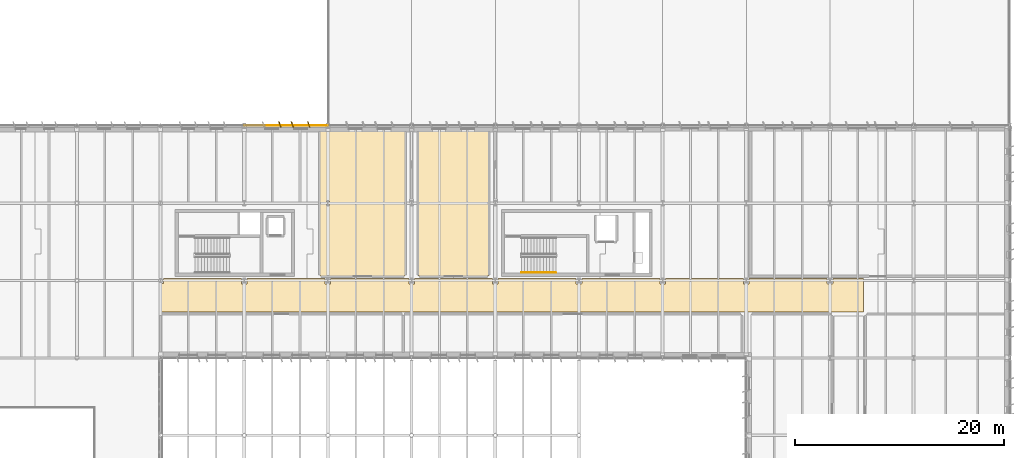
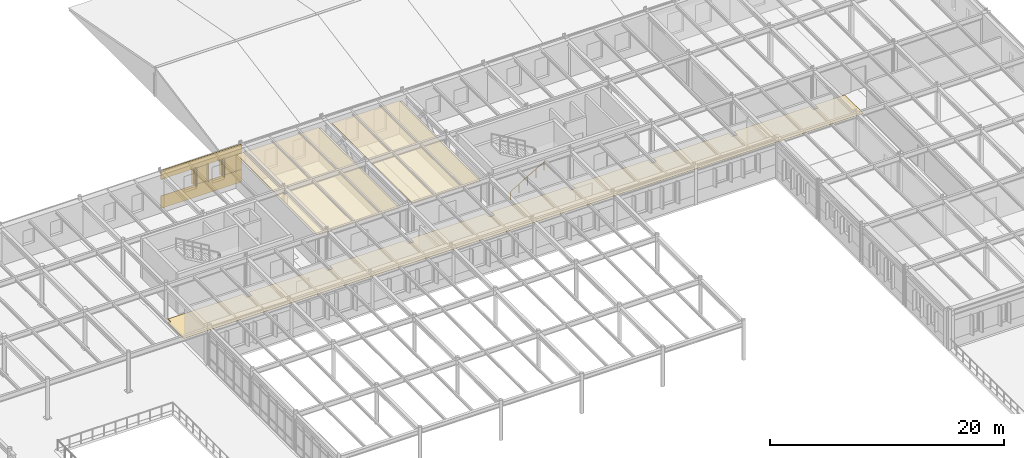
# One storey, part 58 of 63: 10 coverings, 1 railing.
"""IFC4 building model written with IfcOpenShell, lengths in metres."""

from ifc_helpers import new_model, si_unit, direction, frame, frame_2d, origin, origin_2d, place, context, subcontext, project, spatial, polyline, rectangle, circle, outline, extrude, material, layer, layer_set, type_object, element, save


model = new_model("IFC4")

# Units and contexts
model_context = context("Model", 3, precision=1e-05, world=origin(), true_north=direction((0.0, 1.0)))
body_context = subcontext(model_context, "Body", "Model", "MODEL_VIEW")
ifc_project = project(units=[si_unit("LENGTHUNIT", "METRE"), si_unit("AREAUNIT", "SQUARE_METRE"), si_unit("VOLUMEUNIT", "CUBIC_METRE"), si_unit("PLANEANGLEUNIT", "RADIAN"), si_unit("MASSUNIT", "GRAM", prefix="KILO")], contexts=[model_context])

# Site, building, storey
site_placement = place(None, origin())
site = spatial("IfcSite", under=ifc_project, at=site_placement, CompositionType="ELEMENT")
building_placement = place(site_placement, origin())
building = spatial("IfcBuilding", under=site, at=building_placement, Name="Valkorina Park Police Headquarters", CompositionType="ELEMENT")
storey_placement = place(building_placement, frame((0.0, 0.0, 9.89990234375)))
storey = spatial("IfcBuildingStorey", under=building, at=storey_placement, Name="L03", CompositionType="ELEMENT", Elevation=9.89990234375)

# Coverings
ifc_material_1 = material(Name="Acoustic mineral board")
ifc_layer_1 = layer(ifc_material_1, 0.02490234375)
ifc_layer_set_1 = layer_set([ifc_layer_1], Name="Acoustic mineral board")
covering_type_1 = type_object("IfcCoveringType", Name="COV-CEILING-ACOUST", PredefinedType="CEILING", material=ifc_layer_set_1)
covering_1_placement = place(storey_placement, frame((0.0, 0.0, 3.380126953125)))
element("IfcCovering", 1, at=covering_1_placement, inside=storey, type_object=covering_type_1, Name="Redundant 112 Server Hall B Acoustic Suspended Ceiling", PredefinedType="CEILING", context=body_context, shape_type="SweptSolid", body=[
    extrude(outline(polyline([(104.158447265625, 67.1044921875), (104.15966796875, 67.1123046875), (104.159912109375, 67.1201171875), (104.159912109375, 80.8798828125), (104.15966796875, 80.8876953125), (104.158447265625, 80.8955078125), (104.156494140625, 80.9033203125), (104.15380859375, 80.91064453125), (104.150634765625, 80.917724609375), (104.146484375, 80.92431640625), (104.141845703125, 80.930908203125), (104.13671875, 80.9365234375), (104.130859375, 80.94189453125), (104.12451171875, 80.946533203125), (104.11767578125, 80.95068359375), (104.110595703125, 80.953857421875), (104.103271484375, 80.95654296875), (104.095703125, 80.95849609375), (104.087890625, 80.959716796875), (104.080078125, 80.9599609375), (96.1201171875, 80.9599609375), (96.1123046875, 80.959716796875), (96.1044921875, 80.95849609375), (96.0966796875, 80.95654296875), (96.08935546875, 80.953857421875), (96.082275390625, 80.95068359375), (96.07568359375, 80.946533203125), (96.069091796875, 80.94189453125), (96.0634765625, 80.9365234375), (96.05810546875, 80.930908203125), (96.053466796875, 80.92431640625), (96.04931640625, 80.917724609375), (96.046142578125, 80.91064453125), (96.04345703125, 80.9033203125), (96.04150390625, 80.8955078125), (96.040283203125, 80.8876953125), (96.0400390625, 80.8798828125), (96.0400390625, 67.1201171875), (96.040283203125, 67.1123046875), (96.04150390625, 67.1044921875), (96.04345703125, 67.0966796875), (96.046142578125, 67.08935546875), (96.04931640625, 67.082275390625), (96.053466796875, 67.07568359375), (96.05810546875, 67.069091796875), (96.0634765625, 67.0634765625), (96.069091796875, 67.05810546875), (96.07568359375, 67.053466796875), (96.082275390625, 67.04931640625), (96.08935546875, 67.046142578125), (96.0966796875, 67.04345703125), (96.1044921875, 67.04150390625), (96.1123046875, 67.040283203125), (96.1201171875, 67.0400390625), (104.080078125, 67.0400390625), (104.087890625, 67.040283203125), (104.095703125, 67.04150390625), (104.103271484375, 67.04345703125), (104.110595703125, 67.046142578125), (104.11767578125, 67.04931640625), (104.12451171875, 67.053466796875), (104.130859375, 67.05810546875), (104.13671875, 67.0634765625), (104.141845703125, 67.069091796875), (104.146484375, 67.07568359375), (104.150634765625, 67.082275390625), (104.15380859375, 67.08935546875), (104.156494140625, 67.0966796875), (104.158447265625, 67.1044921875)]), holes=[polyline([(96.949951171875, 74.22509765625), (96.949951171875, 73.77490234375), (96.64990234375, 73.77490234375), (96.64990234375, 74.22509765625), (96.949951171875, 74.22509765625)])]), origin(), (0.0, 0.0, 1.0), 0.02490234375),
])
covering_2_placement = place(storey_placement, frame((0.0, 0.0, 3.380126953125)))
element("IfcCovering", 2, at=covering_2_placement, inside=storey, type_object=covering_type_1, Name="Optical Core Patching and UPS Suite Acoustic Suspended Ceiling", PredefinedType="CEILING", context=body_context, shape_type="SweptSolid", body=[
    extrude(outline(polyline([(112.158447265625, 67.1044921875), (112.15966796875, 67.1123046875), (112.159912109375, 67.1201171875), (112.159912109375, 80.8798828125), (112.15966796875, 80.8876953125), (112.158447265625, 80.8955078125), (112.156494140625, 80.9033203125), (112.15380859375, 80.91064453125), (112.150634765625, 80.917724609375), (112.146484375, 80.92431640625), (112.141845703125, 80.930908203125), (112.13671875, 80.9365234375), (112.130859375, 80.94189453125), (112.12451171875, 80.946533203125), (112.11767578125, 80.95068359375), (112.110595703125, 80.953857421875), (112.103271484375, 80.95654296875), (112.095703125, 80.95849609375), (112.087890625, 80.959716796875), (112.080078125, 80.9599609375), (105.52001953125, 80.9599609375), (105.51220703125, 80.959716796875), (105.50439453125, 80.95849609375), (105.496826171875, 80.95654296875), (105.489501953125, 80.953857421875), (105.482421875, 80.95068359375), (105.4755859375, 80.946533203125), (105.46923828125, 80.94189453125), (105.46337890625, 80.9365234375), (105.458251953125, 80.930908203125), (105.45361328125, 80.92431640625), (105.449462890625, 80.917724609375), (105.446044921875, 80.91064453125), (105.443359375, 80.9033203125), (105.44140625, 80.8955078125), (105.4404296875, 80.8876953125), (105.43994140625, 80.8798828125), (105.43994140625, 67.1201171875), (105.4404296875, 67.1123046875), (105.44140625, 67.1044921875), (105.443359375, 67.0966796875), (105.446044921875, 67.08935546875), (105.449462890625, 67.082275390625), (105.45361328125, 67.07568359375), (105.458251953125, 67.069091796875), (105.46337890625, 67.0634765625), (105.46923828125, 67.05810546875), (105.4755859375, 67.053466796875), (105.482421875, 67.04931640625), (105.489501953125, 67.046142578125), (105.496826171875, 67.04345703125), (105.50439453125, 67.04150390625), (105.51220703125, 67.040283203125), (105.52001953125, 67.0400390625), (112.080078125, 67.0400390625), (112.087890625, 67.040283203125), (112.095703125, 67.04150390625), (112.103271484375, 67.04345703125), (112.110595703125, 67.046142578125), (112.11767578125, 67.04931640625), (112.12451171875, 67.053466796875), (112.130859375, 67.05810546875), (112.13671875, 67.0634765625), (112.141845703125, 67.069091796875), (112.146484375, 67.07568359375), (112.150634765625, 67.082275390625), (112.15380859375, 67.08935546875), (112.156494140625, 67.0966796875), (112.158447265625, 67.1044921875)])), origin(), (0.0, 0.0, 1.0), 0.02490234375),
])
ifc_material_2 = material(Name="Precast concrete C40/50", Category="concrete")
ifc_layer_2 = layer(ifc_material_2, 0.044921875)
ifc_layer_set_2 = layer_set([ifc_layer_2], Name="Precast concrete C40/50")
covering_type_2 = type_object("IfcCoveringType", Name="COV-CLAD-DOLOMITE", PredefinedType="CLADDING", material=ifc_layer_set_2)
for number, where, z_axis, x_axis, name in (
    (3, (92.20263671875, 81.52001953125, 1.22998046875), (0.0, 0.0, 1.0), (-0.317304656405, 0.948323655206, 0.0), "Slanted 18.5-deg Precast Window Slot Fin 1821"),
    (4, (93.3974609375, 81.52001953125, 1.22998046875), (0.0, 0.0, 1.0), (-0.317304656405, 0.948323655206, 0.0), "Slanted 18.5-deg Precast Window Slot Fin 1822"),
    (5, (94.96728515625, 81.52001953125, 1.22998046875), (0.0, 0.0, 1.0), (-0.317304656405, 0.948323655206, 0.0), "Slanted 18.5-deg Precast Window Slot Fin 1823"),
):
    element("IfcCovering", number, at=place(storey_placement, frame(where, z_axis=z_axis, x_axis=x_axis)), inside=storey, type_object=covering_type_2, Name=name, PredefinedType="CLADDING", context=body_context, shape_type="SweptSolid", body=[
        extrude(rectangle(XDim=0.5400390625, YDim=0.090087890625, at=origin_2d()), origin(), (0.0, 0.0, 1.0), 1.889892578125),
    ])
covering_3_placement = place(storey_placement, frame((88.820068359375, 81.4150390625, 0.0), z_axis=(0.0, 0.0, 1.0), x_axis=(1.0, 0.0, 0.0)))
element("IfcCovering", 6, at=covering_3_placement, inside=storey, type_object=covering_type_2, Name="L03 Calm Concrete Base Sill Spandrel 1824", PredefinedType="CLADDING", context=body_context, shape_type="SweptSolid", body=[
    extrude(rectangle(XDim=7.9599609375, YDim=0.044921875, at=frame_2d((3.97998046875, 0.0))), origin(), (0.0, 0.0, 1.0), 1.320068359375),
])
covering_4_placement = place(storey_placement, frame((88.820068359375, 81.4150390625, 3.030029296875), z_axis=(0.0, 0.0, 1.0), x_axis=(1.0, 0.0, 0.0)))
element("IfcCovering", 7, at=covering_4_placement, inside=storey, type_object=covering_type_2, Name="L03 Calm Concrete Base Lintel Spandrel 1825", PredefinedType="CLADDING", context=body_context, shape_type="SweptSolid", body=[
    extrude(rectangle(XDim=7.9599609375, YDim=0.044921875, at=frame_2d((3.97998046875, 0.0))), origin(), (0.0, 0.0, 1.0), 0.925048828125),
])
covering_5_placement = place(storey_placement, frame((92.092529296875, 81.4150390625, 1.320068359375), z_axis=(0.0, 0.0, 1.0), x_axis=(1.0, 0.0, 0.0)))
element("IfcCovering", 8, at=covering_5_placement, inside=storey, type_object=covering_type_2, Name="L03 Calm Concrete Base Slot Pier 1827", PredefinedType="CLADDING", context=body_context, shape_type="SweptSolid", body=[
    extrude(rectangle(XDim=1.414794921875, YDim=0.044921875, at=frame_2d((0.70751953125, 0.0))), origin(), (0.0, 0.0, 1.0), 1.7099609375),
])
covering_6_placement = place(storey_placement, frame((94.857421875, 81.4150390625, 1.320068359375), z_axis=(0.0, 0.0, 1.0), x_axis=(1.0, 0.0, 0.0)))
element("IfcCovering", 9, at=covering_6_placement, inside=storey, type_object=covering_type_2, Name="L03 Calm Concrete Base Slot Pier 1828", PredefinedType="CLADDING", context=body_context, shape_type="SweptSolid", body=[
    extrude(rectangle(XDim=1.922607421875, YDim=0.044921875, at=frame_2d((0.96142578125, 0.0))), origin(), (0.0, 0.0, 1.0), 1.7099609375),
])
ifc_material_3 = material(Name="Resin terrazzo flooring")
ifc_layer_3 = layer(ifc_material_3, 0.030029296875)
ifc_layer_set_3 = layer_set([ifc_layer_3], Name="Resin terrazzo flooring")
covering_type_3 = type_object("IfcCoveringType", Name="COV-FLOOR-TERRAZZO", PredefinedType="FLOORING", material=ifc_layer_set_3)
covering_7_placement = place(storey_placement, origin())
element("IfcCovering", 10, at=covering_7_placement, inside=storey, type_object=covering_type_3, Name="L03 Telecom and DNA Clean-Chain Corridor Terrazzo Flooring", PredefinedType="FLOORING", context=body_context, shape_type="SweptSolid", body=[
    extrude(outline(polyline([(81.097900390625, 66.382080078125), (81.097412109375, 66.37451171875), (81.09619140625, 66.36669921875), (81.094482421875, 66.35888671875), (81.091796875, 66.3515625), (81.08837890625, 66.344482421875), (81.084228515625, 66.337890625), (81.07958984375, 66.331298828125), (81.074462890625, 66.32568359375), (81.068603515625, 66.3203125), (81.062255859375, 66.315673828125), (81.055419921875, 66.3115234375), (81.04833984375, 66.308349609375), (81.041015625, 66.3056640625), (81.033447265625, 66.3037109375), (81.025634765625, 66.302490234375), (81.017822265625, 66.30224609375), (80.800048828125, 66.30224609375), (80.800048828125, 63.60009765625), (148.0, 63.60009765625), (148.0, 66.800048828125), (145.070068359375, 66.800048828125), (145.070068359375, 66.3349609375), (145.069580078125, 66.3271484375), (145.068603515625, 66.3193359375), (145.066650390625, 66.311767578125), (145.06396484375, 66.304443359375), (145.060546875, 66.29736328125), (145.056396484375, 66.29052734375), (145.0517578125, 66.2841796875), (145.046630859375, 66.2783203125), (145.040771484375, 66.273193359375), (145.034423828125, 66.2685546875), (145.027587890625, 66.264404296875), (145.0205078125, 66.260986328125), (145.01318359375, 66.25830078125), (145.005615234375, 66.256591796875), (144.997802734375, 66.25537109375), (144.989990234375, 66.2548828125), (144.610107421875, 66.2548828125), (144.602294921875, 66.25537109375), (144.594482421875, 66.256591796875), (144.5869140625, 66.25830078125), (144.579345703125, 66.260986328125), (144.572265625, 66.264404296875), (144.565673828125, 66.2685546875), (144.55908203125, 66.273193359375), (144.553466796875, 66.2783203125), (144.548095703125, 66.2841796875), (144.54345703125, 66.29052734375), (144.539306640625, 66.29736328125), (144.5361328125, 66.304443359375), (144.533447265625, 66.311767578125), (144.531494140625, 66.3193359375), (144.530517578125, 66.3271484375), (144.530029296875, 66.3349609375), (144.530029296875, 66.800048828125), (137.070068359375, 66.800048828125), (137.070068359375, 66.3349609375), (137.069580078125, 66.3271484375), (137.068603515625, 66.3193359375), (137.066650390625, 66.311767578125), (137.06396484375, 66.304443359375), (137.060546875, 66.29736328125), (137.056396484375, 66.29052734375), (137.0517578125, 66.2841796875), (137.046630859375, 66.2783203125), (137.040771484375, 66.273193359375), (137.034423828125, 66.2685546875), (137.027587890625, 66.264404296875), (137.0205078125, 66.260986328125), (137.01318359375, 66.25830078125), (137.005615234375, 66.256591796875), (136.997802734375, 66.25537109375), (136.989990234375, 66.2548828125), (136.610107421875, 66.2548828125), (136.602294921875, 66.25537109375), (136.594482421875, 66.256591796875), (136.5869140625, 66.25830078125), (136.579345703125, 66.260986328125), (136.572265625, 66.264404296875), (136.565673828125, 66.2685546875), (136.55908203125, 66.273193359375), (136.553466796875, 66.2783203125), (136.548095703125, 66.2841796875), (136.54345703125, 66.29052734375), (136.539306640625, 66.29736328125), (136.5361328125, 66.304443359375), (136.533447265625, 66.311767578125), (136.531494140625, 66.3193359375), (136.530517578125, 66.3271484375), (136.530029296875, 66.3349609375), (136.530029296875, 66.800048828125), (129.070068359375, 66.800048828125), (129.070068359375, 66.3349609375), (129.069580078125, 66.3271484375), (129.068603515625, 66.3193359375), (129.066650390625, 66.311767578125), (129.06396484375, 66.304443359375), (129.060546875, 66.29736328125), (129.056396484375, 66.29052734375), (129.0517578125, 66.2841796875), (129.046630859375, 66.2783203125), (129.040771484375, 66.273193359375), (129.034423828125, 66.2685546875), (129.027587890625, 66.264404296875), (129.0205078125, 66.260986328125), (129.01318359375, 66.25830078125), (129.005615234375, 66.256591796875), (128.997802734375, 66.25537109375), (128.989990234375, 66.2548828125), (128.610107421875, 66.2548828125), (128.602294921875, 66.25537109375), (128.594482421875, 66.256591796875), (128.5869140625, 66.25830078125), (128.579345703125, 66.260986328125), (128.572265625, 66.264404296875), (128.565673828125, 66.2685546875), (128.55908203125, 66.273193359375), (128.553466796875, 66.2783203125), (128.548095703125, 66.2841796875), (128.54345703125, 66.29052734375), (128.539306640625, 66.29736328125), (128.5361328125, 66.304443359375), (128.533447265625, 66.311767578125), (128.531494140625, 66.3193359375), (128.530517578125, 66.3271484375), (128.530029296875, 66.3349609375), (128.530029296875, 66.800048828125), (121.070068359375, 66.800048828125), (121.070068359375, 66.3349609375), (121.069580078125, 66.3271484375), (121.068603515625, 66.3193359375), (121.066650390625, 66.311767578125), (121.06396484375, 66.304443359375), (121.060546875, 66.29736328125), (121.056396484375, 66.29052734375), (121.0517578125, 66.2841796875), (121.046630859375, 66.2783203125), (121.040771484375, 66.273193359375), (121.034423828125, 66.2685546875), (121.027587890625, 66.264404296875), (121.0205078125, 66.260986328125), (121.01318359375, 66.25830078125), (121.005615234375, 66.256591796875), (120.997802734375, 66.25537109375), (120.989990234375, 66.2548828125), (120.610107421875, 66.2548828125), (120.602294921875, 66.25537109375), (120.594482421875, 66.256591796875), (120.5869140625, 66.25830078125), (120.579345703125, 66.260986328125), (120.572265625, 66.264404296875), (120.565673828125, 66.2685546875), (120.55908203125, 66.273193359375), (120.553466796875, 66.2783203125), (120.548095703125, 66.2841796875), (120.54345703125, 66.29052734375), (120.539306640625, 66.29736328125), (120.5361328125, 66.304443359375), (120.533447265625, 66.311767578125), (120.531494140625, 66.3193359375), (120.530517578125, 66.3271484375), (120.530029296875, 66.3349609375), (120.530029296875, 66.800048828125), (113.070068359375, 66.800048828125), (113.070068359375, 66.3349609375), (113.069580078125, 66.3271484375), (113.068603515625, 66.3193359375), (113.066650390625, 66.311767578125), (113.06396484375, 66.304443359375), (113.060546875, 66.29736328125), (113.056396484375, 66.29052734375), (113.0517578125, 66.2841796875), (113.046630859375, 66.2783203125), (113.040771484375, 66.273193359375), (113.034423828125, 66.2685546875), (113.027587890625, 66.264404296875), (113.0205078125, 66.260986328125), (113.01318359375, 66.25830078125), (113.005615234375, 66.256591796875), (112.997802734375, 66.25537109375), (112.989990234375, 66.2548828125), (112.610107421875, 66.2548828125), (112.602294921875, 66.25537109375), (112.594482421875, 66.256591796875), (112.5869140625, 66.25830078125), (112.579345703125, 66.260986328125), (112.572265625, 66.264404296875), (112.565673828125, 66.2685546875), (112.55908203125, 66.273193359375), (112.553466796875, 66.2783203125), (112.548095703125, 66.2841796875), (112.54345703125, 66.29052734375), (112.539306640625, 66.29736328125), (112.5361328125, 66.304443359375), (112.533447265625, 66.311767578125), (112.531494140625, 66.3193359375), (112.530517578125, 66.3271484375), (112.530029296875, 66.3349609375), (112.530029296875, 66.800048828125), (105.070068359375, 66.800048828125), (105.070068359375, 66.3349609375), (105.069580078125, 66.3271484375), (105.068603515625, 66.3193359375), (105.066650390625, 66.311767578125), (105.06396484375, 66.304443359375), (105.060546875, 66.29736328125), (105.056396484375, 66.29052734375), (105.0517578125, 66.2841796875), (105.046630859375, 66.2783203125), (105.040771484375, 66.273193359375), (105.034423828125, 66.2685546875), (105.027587890625, 66.264404296875), (105.0205078125, 66.260986328125), (105.01318359375, 66.25830078125), (105.005615234375, 66.256591796875), (104.997802734375, 66.25537109375), (104.989990234375, 66.2548828125), (104.610107421875, 66.2548828125), (104.602294921875, 66.25537109375), (104.594482421875, 66.256591796875), (104.5869140625, 66.25830078125), (104.579345703125, 66.260986328125), (104.572265625, 66.264404296875), (104.565673828125, 66.2685546875), (104.55908203125, 66.273193359375), (104.553466796875, 66.2783203125), (104.548095703125, 66.2841796875), (104.54345703125, 66.29052734375), (104.539306640625, 66.29736328125), (104.5361328125, 66.304443359375), (104.533447265625, 66.311767578125), (104.531494140625, 66.3193359375), (104.530517578125, 66.3271484375), (104.530029296875, 66.3349609375), (104.530029296875, 66.800048828125), (97.070068359375, 66.800048828125), (97.070068359375, 66.3349609375), (97.069580078125, 66.3271484375), (97.068603515625, 66.3193359375), (97.066650390625, 66.311767578125), (97.06396484375, 66.304443359375), (97.060546875, 66.29736328125), (97.056396484375, 66.29052734375), (97.0517578125, 66.2841796875), (97.046630859375, 66.2783203125), (97.040771484375, 66.273193359375), (97.034423828125, 66.2685546875), (97.027587890625, 66.264404296875), (97.0205078125, 66.260986328125), (97.01318359375, 66.25830078125), (97.005615234375, 66.256591796875), (96.997802734375, 66.25537109375), (96.989990234375, 66.2548828125), (96.610107421875, 66.2548828125), (96.602294921875, 66.25537109375), (96.594482421875, 66.256591796875), (96.5869140625, 66.25830078125), (96.579345703125, 66.260986328125), (96.572265625, 66.264404296875), (96.565673828125, 66.2685546875), (96.55908203125, 66.273193359375), (96.553466796875, 66.2783203125), (96.548095703125, 66.2841796875), (96.54345703125, 66.29052734375), (96.539306640625, 66.29736328125), (96.5361328125, 66.304443359375), (96.533447265625, 66.311767578125), (96.531494140625, 66.3193359375), (96.530517578125, 66.3271484375), (96.530029296875, 66.3349609375), (96.530029296875, 66.800048828125), (89.070068359375, 66.800048828125), (89.070068359375, 66.3349609375), (89.069580078125, 66.3271484375), (89.068603515625, 66.3193359375), (89.066650390625, 66.311767578125), (89.06396484375, 66.304443359375), (89.060546875, 66.29736328125), (89.056396484375, 66.29052734375), (89.0517578125, 66.2841796875), (89.046630859375, 66.2783203125), (89.040771484375, 66.273193359375), (89.034423828125, 66.2685546875), (89.027587890625, 66.264404296875), (89.0205078125, 66.260986328125), (89.01318359375, 66.25830078125), (89.005615234375, 66.256591796875), (88.997802734375, 66.25537109375), (88.989990234375, 66.2548828125), (88.610107421875, 66.2548828125), (88.602294921875, 66.25537109375), (88.594482421875, 66.256591796875), (88.5869140625, 66.25830078125), (88.579345703125, 66.260986328125), (88.572265625, 66.264404296875), (88.565673828125, 66.2685546875), (88.55908203125, 66.273193359375), (88.553466796875, 66.2783203125), (88.548095703125, 66.2841796875), (88.54345703125, 66.29052734375), (88.539306640625, 66.29736328125), (88.5361328125, 66.304443359375), (88.533447265625, 66.311767578125), (88.531494140625, 66.3193359375), (88.530517578125, 66.3271484375), (88.530029296875, 66.3349609375), (88.530029296875, 66.800048828125), (81.097900390625, 66.800048828125), (81.097900390625, 66.382080078125)])), origin(), (0.0, 0.0, 1.0), 0.030029296875),
])

# Railing
ifc_material_4 = material(Name="Stainless steel EN 1.4404", Category="steel")
railing_type = type_object("IfcRailingType", Name="RL-HANDRAIL-900", PredefinedType="HANDRAIL", material=ifc_material_4)
railing_placement = place(storey_placement, frame((115.300048828125, 67.35009765625, 0.175048828125)))
element("IfcRailing", 11, at=railing_placement, inside=storey, type_object=railing_type, Name="L03 Core C5 Stair Handrail 1", PredefinedType="HANDRAIL", context=body_context, shape_type="SweptSolid", body=[
    extrude(circle(Radius=0.02392578125, at=origin_2d()), frame((0.0, 0.0, 0.8759765625), z_axis=(0.863776583165, 0.0, 0.503874998761), x_axis=(0.0, 1.0, 0.0)), (0.0, 0.0, 1.0), 3.820556640625),
    extrude(circle(Radius=0.02099609375, at=origin_2d()), origin(), (0.0, 0.0, 1.0), 0.851806640625),
    extrude(circle(Radius=0.02099609375, at=origin_2d()), frame((0.824951171875, 0.0, 0.481201171875)), (0.0, 0.0, 1.0), 0.851806640625),
    extrude(circle(Radius=0.02099609375, at=origin_2d()), frame((1.64990234375, 0.0, 0.96240234375)), (0.0, 0.0, 1.0), 0.851806640625),
    extrude(circle(Radius=0.02099609375, at=origin_2d()), frame((2.47509765625, 0.0, 1.44384765625)), (0.0, 0.0, 1.0), 0.851806640625),
    extrude(circle(Radius=0.02099609375, at=origin_2d()), frame((3.300048828125, 0.0, 1.925048828125)), (0.0, 0.0, 1.0), 0.851806640625),
])

save(model, "model.ifc")
